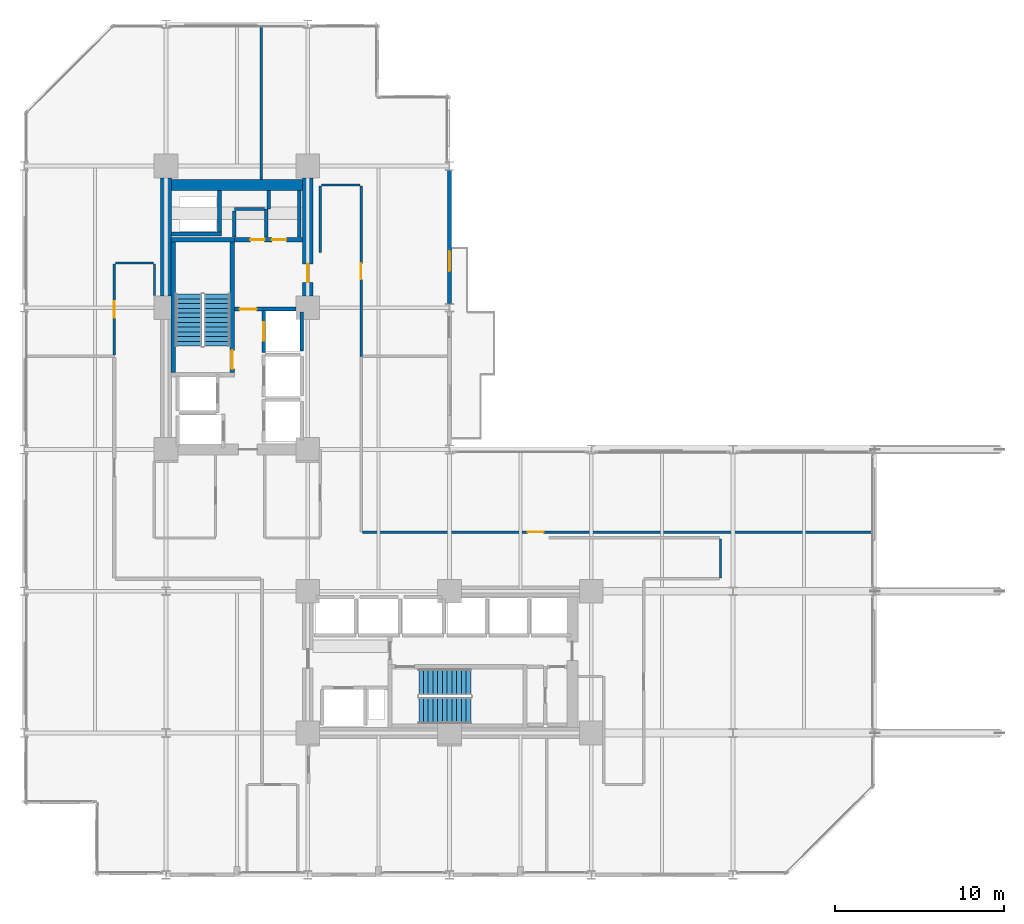
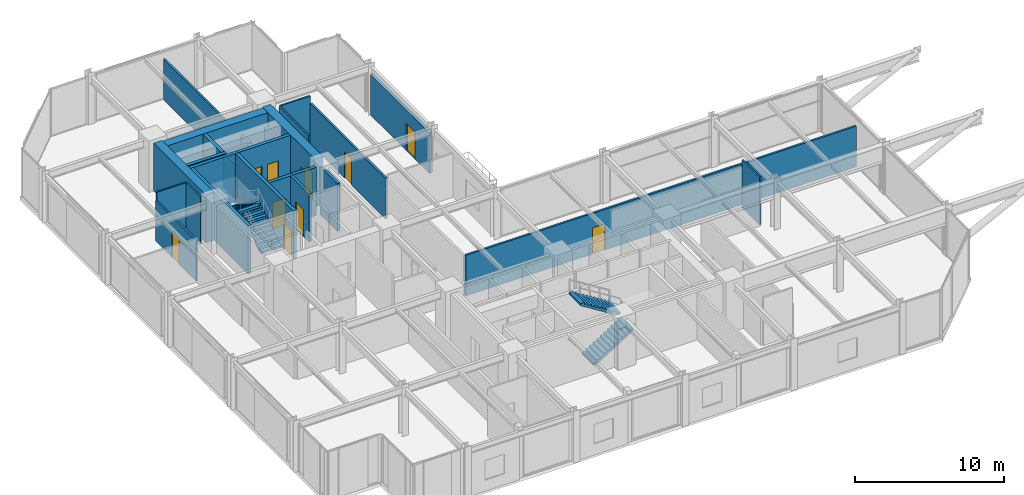
# One storey, part 22 of 25: 27 walls, 10 doors, 4 stair flights, 10 openings, 2 elements without a shape of their own.
"""IFC4 building model written with IfcOpenShell, lengths in metres."""

from ifc_helpers import new_model, si_unit, direction, frame, frame_2d, origin, place, context, subcontext, project, spatial, polyline, rectangle, outline, extrude, material, layer, layer_set, type_object, element, fill, aggregate, save


model = new_model("IFC4")

# Units and contexts
model_context = context("Model", 3, precision=1e-05, world=origin(), true_north=direction((0.0, 1.0)))
body_context = subcontext(model_context, "Body", "Model", "MODEL_VIEW")
ifc_project = project(units=[si_unit("LENGTHUNIT", "METRE"), si_unit("AREAUNIT", "SQUARE_METRE"), si_unit("VOLUMEUNIT", "CUBIC_METRE"), si_unit("PLANEANGLEUNIT", "RADIAN"), si_unit("MASSUNIT", "GRAM", prefix="KILO")], contexts=[model_context])

# Site, building, storey
site_placement = place(None, origin())
site = spatial("IfcSite", under=ifc_project, at=site_placement, CompositionType="ELEMENT")
building_placement = place(site_placement, origin())
building = spatial("IfcBuilding", under=site, at=building_placement, Name="Nerrivon Quay Data Exchange", CompositionType="ELEMENT")
storey_placement = place(building_placement, frame((0.0, 0.0, 58.39990234375)))
storey = spatial("IfcBuildingStorey", under=building, at=storey_placement, Name="L13", CompositionType="ELEMENT", Elevation=58.39990234375)

# Wall, opening, door
ifc_material_1 = material(Name="Architectural terracotta precast concrete N50 (50 MPa)", Category="masonry")
ifc_layer_1 = layer(ifc_material_1, 0.239990234375)
ifc_layer_set_1 = layer_set([ifc_layer_1], Name="Architectural terracotta precast concrete N50 (50 MPa)")
wall_type_1 = type_object("IfcWallType", Name="EW-PREC-240", PredefinedType="STANDARD", material=ifc_layer_set_1)
wall_1_placement = place(storey_placement, frame((25.199951171875, 41.75, 0.0), z_axis=(0.0, 0.0, 1.0), x_axis=(0.0, -1.0, 0.0)))
wall_1 = element("IfcWall", 1, at=wall_1_placement, inside=storey, type_object=wall_type_1, Name="L13 Terrace Host Wall 26", PredefinedType="STANDARD", context=body_context, shape_type="SweptSolid", body=[
    extrude(rectangle(XDim=7.89990234375, YDim=0.239990234375, at=frame_2d((3.949951171875, 0.0))), origin(), (0.0, 0.0, 1.0), 3.322998046875),
])
opening_1_placement = place(wall_1_placement, frame((4.800048828125, 0.0, 0.0)))
opening_1 = element("IfcOpeningElement", 2, at=opening_1_placement, cuts=wall_1, Name="Opening TD1", PredefinedType="OPENING", context=body_context, shape_type="SweptSolid", body=[
    extrude(rectangle(XDim=1.199951171875, YDim=2.199951171875, at=frame_2d((0.60009765625, 1.10009765625))), frame((0.0, 0.1298828125, 0.0), z_axis=(0.0, -1.0, 0.0), x_axis=(1.0, 0.0, 0.0)), (0.0, 0.0, 1.0), 0.260009765625),
])
ifc_material_2 = material(Name="Double-glazed low-E solar control glass", Category="glass")
door_type_1 = type_object("IfcDoorType", Name="DR-TERR-1200x2200", OperationType="NOTDEFINED", PredefinedType="DOOR", material=ifc_material_2)
door_1_placement = place(opening_1_placement, origin())
door_1 = element("IfcDoor", 3, at=door_1_placement, inside=storey, type_object=door_type_1, Name="L13 Outdoor Terrace Access Door 26", OperationType="SINGLE_SWING_LEFT", OverallHeight=2.199951171875, OverallWidth=1.199951171875, PredefinedType="DOOR", context=body_context, shape_type="SweptSolid", body=[
    extrude(rectangle(XDim=1.199951171875, YDim=2.199951171875, at=frame_2d((0.60009765625, 1.10009765625))), frame((0.0, 0.02490234375, 0.0), z_axis=(0.0, -1.0, 0.0), x_axis=(1.0, 0.0, 0.0)), (0.0, 0.0, 1.0), 0.050048828125),
])
fill(opening_1, door_1)

# Walls
ifc_material_3 = material(Name="Concrete N80 (80 MPa)", Category="concrete")
ifc_layer_2 = layer(ifc_material_3, 0.64990234375)
ifc_layer_set_2 = layer_set([ifc_layer_2], Name="Concrete N80 (80 MPa)")
wall_type_2 = type_object("IfcWallType", Name="WALL-CW-850", PredefinedType="SHEAR", material=ifc_layer_set_2)
wall_2_placement = place(storey_placement, frame((8.39990234375, 34.300048828125, 0.0), z_axis=(0.0, 0.0, 1.0), x_axis=(0.0, 1.0, 0.0)))
element("IfcWall", 4, at=wall_2_placement, inside=storey, type_object=wall_type_2, Name="L13 West Split-Core Shear Wall WCW-W2", PredefinedType="SHEAR", context=body_context, shape_type="SweptSolid", body=[
    extrude(rectangle(XDim=7.0, YDim=0.64990234375, at=frame_2d((3.5, 0.0))), origin(), (0.0, 0.0, 1.0), 3.925048828125),
])
wall_3_placement = place(storey_placement, frame((8.72509765625, 40.875, 0.0), z_axis=(0.0, 0.0, 1.0), x_axis=(1.0, 0.0, 0.0)))
element("IfcWall", 5, at=wall_3_placement, inside=storey, type_object=wall_type_2, Name="L13 West Split-Core Shear Wall WCW-N1", PredefinedType="SHEAR", context=body_context, shape_type="SweptSolid", body=[
    extrude(rectangle(XDim=7.75, YDim=0.64990234375, at=frame_2d((3.875, 0.0))), origin(), (0.0, 0.0, 1.0), 3.925048828125),
])

# Wall, opening, door
wall_4_placement = place(storey_placement, frame((16.800048828125, 34.300048828125, 0.0), z_axis=(0.0, 0.0, 1.0), x_axis=(0.0, 1.0, 0.0)))
wall_4 = element("IfcWall", 6, at=wall_4_placement, inside=storey, type_object=wall_type_2, Name="L13 West Split-Core Shear Wall WCW-E1", PredefinedType="SHEAR", context=body_context, shape_type="SweptSolid", body=[
    extrude(rectangle(XDim=7.0, YDim=0.64990234375, at=frame_2d((3.5, 0.0))), origin(), (0.0, 0.0, 1.0), 3.925048828125),
])
opening_2_placement = place(wall_4_placement, frame((0.800048828125, 0.0, 0.0)))
opening_2 = element("IfcOpeningElement", 7, at=opening_2_placement, cuts=wall_4, Name="Opening FD-120", PredefinedType="OPENING", context=body_context, shape_type="SweptSolid", body=[
    extrude(rectangle(XDim=1.10009765625, YDim=2.14990234375, at=frame_2d((0.550048828125, 1.074951171875))), frame((0.0, 0.3349609375, 0.0), z_axis=(0.0, -1.0, 0.0), x_axis=(1.0, 0.0, 0.0)), (0.0, 0.0, 1.0), 0.669921875),
])
ifc_material_4 = material(Name="Powder-coated galvanized steel sheet", Category="steel")
door_type_2 = type_object("IfcDoorType", Name="DR-FD120-1100", OperationType="NOTDEFINED", PredefinedType="DOOR", material=ifc_material_4)
door_2_placement = place(opening_2_placement, origin())
door_2 = element("IfcDoor", 8, at=door_2_placement, inside=storey, type_object=door_type_2, Name="L13 West Core Lobby Fire Door", OperationType="SINGLE_SWING_LEFT", OverallHeight=2.14990234375, OverallWidth=1.10009765625, PredefinedType="DOOR", context=body_context, shape_type="SweptSolid", body=[
    extrude(rectangle(XDim=1.10009765625, YDim=2.14990234375, at=frame_2d((0.550048828125, 1.074951171875))), frame((0.0, 0.02490234375, 0.0), z_axis=(0.0, -1.0, 0.0), x_axis=(1.0, 0.0, 0.0)), (0.0, 0.0, 1.0), 0.050048828125),
])
fill(opening_2, door_2)

ifc_material_5 = material(Name="Gypsum plasterboard on cold-formed framing", Category="gypsum")
ifc_layer_3 = layer(ifc_material_5, 0.199951171875)
ifc_layer_set_3 = layer_set([ifc_layer_3], Name="Gypsum plasterboard on cold-formed framing")
wall_type_3 = type_object("IfcWallType", Name="WALL-FW-200", PredefinedType="PARTITIONING", material=ifc_layer_set_3)
wall_5_placement = place(storey_placement, frame((14.199951171875, 30.949951171875, 0.0), z_axis=(0.0, 0.0, 1.0), x_axis=(0.0, 1.0, 0.0)))
wall_5 = element("IfcWall", 9, at=wall_5_placement, inside=storey, type_object=wall_type_3, Name="L13 Lift Front Wall PL3", PredefinedType="PARTITIONING", context=body_context, shape_type="SweptSolid", body=[
    extrude(rectangle(XDim=2.5, YDim=0.199951171875, at=frame_2d((1.25, 0.0))), origin(), (0.0, 0.0, 1.0), 3.925048828125),
])
opening_3_placement = place(wall_5_placement, frame((0.699951171875, 0.0, 0.0)))
opening_3 = element("IfcOpeningElement", 10, at=opening_3_placement, cuts=wall_5, Name="Opening LD-120", PredefinedType="OPENING", context=body_context, shape_type="SweptSolid", body=[
    extrude(rectangle(XDim=1.10009765625, YDim=2.199951171875, at=frame_2d((0.550048828125, 1.10009765625))), frame((0.0, 0.10986328125, 0.0), z_axis=(0.0, -1.0, 0.0), x_axis=(1.0, 0.0, 0.0)), (0.0, 0.0, 1.0), 0.219970703125),
])
door_type_3 = type_object("IfcDoorType", Name="DR-LIFT-LD120", OperationType="DOUBLE_DOOR_SLIDING", PredefinedType="DOOR", material=ifc_material_4)
door_3_placement = place(opening_3_placement, origin())
door_3 = element("IfcDoor", 11, at=door_3_placement, inside=storey, type_object=door_type_3, Name="L13 Lift Landing Sliding Door PL3", OperationType="DOUBLE_DOOR_SLIDING", OverallHeight=2.199951171875, OverallWidth=1.10009765625, PredefinedType="DOOR", context=body_context, shape_type="SweptSolid", body=[
    extrude(rectangle(XDim=1.10009765625, YDim=2.199951171875, at=frame_2d((0.550048828125, 1.10009765625))), frame((0.0, 0.02490234375, 0.0), z_axis=(0.0, -1.0, 0.0), x_axis=(1.0, 0.0, 0.0)), (0.0, 0.0, 1.0), 0.050048828125),
])
fill(opening_3, door_3)

# Walls
wall_6_placement = place(storey_placement, frame((16.449951171875, 31.050048828125, 0.0), z_axis=(0.0, 0.0, 1.0), x_axis=(0.0, 1.0, 0.0)))
element("IfcWall", 12, at=wall_6_placement, inside=storey, type_object=wall_type_3, Name="L13 Lift Shaft Wall PL3 EAST", PredefinedType="PARTITIONING", context=body_context, shape_type="SweptSolid", body=[
    extrude(rectangle(XDim=2.300048828125, YDim=0.199951171875, at=frame_2d((1.14990234375, 0.0))), origin(), (0.0, 0.0, 1.0), 3.925048828125),
])
wall_7_placement = place(storey_placement, frame((14.35009765625, 37.780029296875, 0.0), z_axis=(0.0, 0.0, 1.0), x_axis=(0.0, 1.0, 0.0)))
element("IfcWall", 13, at=wall_7_placement, inside=storey, type_object=wall_type_3, Name="L13 Partition Equipment Store", PredefinedType="PARTITIONING", context=body_context, shape_type="SweptSolid", body=[
    extrude(rectangle(XDim=1.669921875, YDim=0.199951171875, at=frame_2d((0.8349609375, 0.0))), origin(), (0.0, 0.0, 1.0), 2.8251953125),
])
wall_8_placement = place(storey_placement, frame((14.24609375, 39.449951171875, 0.0), z_axis=(0.0, 0.0, 1.0), x_axis=(-1.0, 0.0, 0.0)))
element("IfcWall", 14, at=wall_8_placement, inside=storey, type_object=wall_type_3, Name="L13 Partition Equipment Store", PredefinedType="PARTITIONING", context=body_context, shape_type="SweptSolid", body=[
    extrude(rectangle(XDim=1.796142578125, YDim=0.199951171875, at=frame_2d((0.89794921875, 0.0))), origin(), (0.0, 0.0, 1.0), 2.8251953125),
])
wall_9_placement = place(storey_placement, frame((12.449951171875, 39.345947265625, 0.0), z_axis=(0.0, 0.0, 1.0), x_axis=(0.0, -1.0, 0.0)))
element("IfcWall", 15, at=wall_9_placement, inside=storey, type_object=wall_type_3, Name="L13 Partition Equipment Store", PredefinedType="PARTITIONING", context=body_context, shape_type="SweptSolid", body=[
    extrude(rectangle(XDim=1.56591796875, YDim=0.199951171875, at=frame_2d((0.782958984375, 0.0))), origin(), (0.0, 0.0, 1.0), 2.8251953125),
])
wall_10_placement = place(storey_placement, frame((16.300048828125, 37.780029296875, 0.0), z_axis=(0.0, 0.0, 1.0), x_axis=(0.0, 1.0, 0.0)))
element("IfcWall", 16, at=wall_10_placement, inside=storey, type_object=wall_type_3, Name="L13 Partition Cleaners Store", PredefinedType="PARTITIONING", context=body_context, shape_type="SweptSolid", body=[
    extrude(rectangle(XDim=2.765869140625, YDim=0.199951171875, at=frame_2d((1.3828125, 0.0))), origin(), (0.0, 0.0, 1.0), 2.8251953125),
])
wall_11_placement = place(storey_placement, frame((14.489990234375, 40.5458984375, 0.0), z_axis=(0.0, 0.0, 1.0), x_axis=(0.0, -1.0, 0.0)))
element("IfcWall", 17, at=wall_11_placement, inside=storey, type_object=wall_type_3, Name="L13 Partition Cleaners Store", PredefinedType="PARTITIONING", context=body_context, shape_type="SweptSolid", body=[
    extrude(rectangle(XDim=1.095947265625, YDim=0.199951171875, at=frame_2d((0.5478515625, 0.0))), origin(), (0.0, 0.0, 1.0), 2.8251953125),
])
ifc_layer_4 = layer(ifc_material_5, 0.1201171875)
ifc_layer_set_4 = layer_set([ifc_layer_4], Name="Gypsum plasterboard on cold-formed framing")
wall_type_4 = type_object("IfcWallType", Name="WALL-PT-120", PredefinedType="PARTITIONING", material=ifc_layer_set_4)
wall_12_placement = place(storey_placement, frame((17.60009765625, 40.860107421875, 0.0), z_axis=(0.0, 0.0, 1.0), x_axis=(1.0, 0.0, 0.0)))
element("IfcWall", 18, at=wall_12_placement, inside=storey, type_object=wall_type_4, Name="L13 Partition Staff Bistro", PredefinedType="PARTITIONING", context=body_context, shape_type="SweptSolid", body=[
    extrude(rectangle(XDim=2.2998046875, YDim=0.1201171875, at=frame_2d((1.14990234375, 0.0))), origin(), (0.0, 0.0, 1.0), 3.925048828125),
])
wall_13_placement = place(storey_placement, frame((5.39990234375, 36.260009765625, 0.0), z_axis=(0.0, 0.0, 1.0), x_axis=(1.0, 0.0, 0.0)))
element("IfcWall", 19, at=wall_13_placement, inside=storey, type_object=wall_type_4, Name="L13 Partition Cloud Compute Workspace 1", PredefinedType="PARTITIONING", context=body_context, shape_type="SweptSolid", body=[
    extrude(rectangle(XDim=2.25, YDim=0.1201171875, at=frame_2d((1.125, 0.0))), origin(), (0.0, 0.0, 1.0), 3.925048828125),
])
wall_14_placement = place(storey_placement, frame((7.7099609375, 36.199951171875, 0.0), z_axis=(0.0, 0.0, 1.0), x_axis=(0.0, -1.0, 0.0)))
element("IfcWall", 20, at=wall_14_placement, inside=storey, type_object=wall_type_4, Name="L13 Partition Cloud Compute Workspace 1", PredefinedType="PARTITIONING", context=body_context, shape_type="SweptSolid", body=[
    extrude(rectangle(XDim=1.8798828125, YDim=0.1201171875, at=frame_2d((0.93994140625, 0.0))), origin(), (0.0, 0.0, 1.0), 3.925048828125),
])
wall_15_placement = place(storey_placement, frame((41.260009765625, 19.89990234375, 0.0), z_axis=(0.0, 0.0, 1.0), x_axis=(-0.000105876124, -0.999999994395, 0.0)))
element("IfcWall", 21, at=wall_15_placement, inside=storey, type_object=wall_type_4, Name="L13 Partition Optical Engineering Studios Workspace", PredefinedType="PARTITIONING", context=body_context, shape_type="SweptSolid", body=[
    extrude(rectangle(XDim=2.305908203125, YDim=0.1201171875, at=frame_2d((1.15283203125, 0.0))), origin(), (0.0, 0.0, 1.0), 3.925048828125),
])
ifc_layer_5 = layer(ifc_material_5, 0.135009765625)
ifc_layer_set_5 = layer_set([ifc_layer_5], Name="Gypsum plasterboard on cold-formed framing")
wall_type_5 = type_object("IfcWallType", Name="WALL-PT-135", PredefinedType="PARTITIONING", material=ifc_layer_set_5)
wall_16_placement = place(storey_placement, frame((17.5400390625, 36.860107421875, 0.0), z_axis=(0.0, 0.0, 1.0), x_axis=(0.0, 1.0, 0.0)))
element("IfcWall", 22, at=wall_16_placement, inside=storey, type_object=wall_type_5, Name="L13 Partition Staff Bistro", PredefinedType="PARTITIONING", context=body_context, shape_type="SweptSolid", body=[
    extrude(rectangle(XDim=3.93994140625, YDim=0.135009765625, at=frame_2d((1.969970703125, 0.0))), origin(), (0.0, 0.0, 1.0), 3.925048828125),
])

# Wall, opening, door
wall_17_placement = place(storey_placement, frame((5.340087890625, 30.79345703125, 0.0), z_axis=(0.0, 0.0, 1.0), x_axis=(0.0, 1.0, 0.0)))
wall_17 = element("IfcWall", 23, at=wall_17_placement, inside=storey, type_object=wall_type_5, Name="L13 Partition Cloud Compute Workspace 1", PredefinedType="PARTITIONING", context=body_context, shape_type="SweptSolid", body=[
    extrude(rectangle(XDim=5.406494140625, YDim=0.135009765625, at=frame_2d((2.703125, 0.0))), origin(), (0.0, 0.0, 1.0), 3.31298828125),
])
opening_4_placement = place(wall_17_placement, frame((2.228271484375, 0.0, 0.0)))
opening_4 = element("IfcOpeningElement", 24, at=opening_4_placement, cuts=wall_17, Name="Opening D-01", PredefinedType="OPENING", context=body_context, shape_type="SweptSolid", body=[
    extrude(rectangle(XDim=0.949951171875, YDim=2.14990234375, at=frame_2d((0.47509765625, 1.074951171875))), frame((0.0, 0.077392578125, 0.0), z_axis=(0.0, -1.0, 0.0), x_axis=(1.0, 0.0, 0.0)), (0.0, 0.0, 1.0), 0.155029296875),
])
ifc_material_6 = material(Name="Engineered hardwood timber", Category="wood")
door_type_4 = type_object("IfcDoorType", Name="DR-INT-950", OperationType="NOTDEFINED", PredefinedType="DOOR", material=ifc_material_6)
door_4_placement = place(opening_4_placement, origin())
door_4 = element("IfcDoor", 25, at=door_4_placement, inside=storey, type_object=door_type_4, Name="L13 Door Cloud Compute Workspace 1", OperationType="SINGLE_SWING_LEFT", OverallHeight=2.14990234375, OverallWidth=0.949951171875, PredefinedType="DOOR", context=body_context, shape_type="SweptSolid", body=[
    extrude(rectangle(XDim=0.949951171875, YDim=2.14990234375, at=frame_2d((0.47509765625, 1.074951171875))), frame((0.0, 0.02490234375, 0.0), z_axis=(0.0, -1.0, 0.0), x_axis=(1.0, 0.0, 0.0)), (0.0, 0.0, 1.0), 0.050048828125),
])
fill(opening_4, door_4)

ifc_layer_6 = layer(ifc_material_5, 0.14990234375)
ifc_layer_set_6 = layer_set([ifc_layer_6], Name="Gypsum plasterboard on cold-formed framing")
wall_type_6 = type_object("IfcWallType", Name="WALL-PT-150", PredefinedType="PARTITIONING", material=ifc_layer_set_6)
wall_18_placement = place(storey_placement, frame((19.9599609375, 40.800048828125, 0.0), z_axis=(0.0, 0.0, 1.0), x_axis=(0.0, -1.0, 0.0)))
wall_18 = element("IfcWall", 26, at=wall_18_placement, inside=storey, type_object=wall_type_6, Name="L13 Partition Staff Bistro", PredefinedType="PARTITIONING", context=body_context, shape_type="SweptSolid", body=[
    extrude(rectangle(XDim=10.078125, YDim=0.14990234375, at=frame_2d((5.0390625, 0.0))), origin(), (0.0, 0.0, 1.0), 3.31298828125),
])
opening_5_placement = place(wall_18_placement, frame((4.56396484375, 0.0, 0.0)))
opening_5 = element("IfcOpeningElement", 27, at=opening_5_placement, cuts=wall_18, Name="Opening D-01", PredefinedType="OPENING", context=body_context, shape_type="SweptSolid", body=[
    extrude(rectangle(XDim=0.949951171875, YDim=2.14990234375, at=frame_2d((0.47509765625, 1.074951171875))), frame((0.0, 0.0849609375, 0.0), z_axis=(0.0, -1.0, 0.0), x_axis=(1.0, 0.0, 0.0)), (0.0, 0.0, 1.0), 0.169921875),
])
door_5_placement = place(opening_5_placement, origin())
door_5 = element("IfcDoor", 28, at=door_5_placement, inside=storey, type_object=door_type_4, Name="L13 Door Staff Bistro", OperationType="SINGLE_SWING_LEFT", OverallHeight=2.14990234375, OverallWidth=0.949951171875, PredefinedType="DOOR", context=body_context, shape_type="SweptSolid", body=[
    extrude(rectangle(XDim=0.949951171875, YDim=2.14990234375, at=frame_2d((0.47509765625, 1.074951171875))), frame((0.0, 0.02490234375, 0.0), z_axis=(0.0, -1.0, 0.0), x_axis=(1.0, 0.0, 0.0)), (0.0, 0.0, 1.0), 0.050048828125),
])
fill(opening_5, door_5)

# Wall
wall_19_placement = place(storey_placement, frame((14.0546875, 50.23095703125, 0.0), z_axis=(0.0, 0.0, 1.0), x_axis=(0.0, -1.0, 0.0)))
element("IfcWall", 29, at=wall_19_placement, inside=storey, type_object=wall_type_6, Name="L13 Partition Staff Bistro", PredefinedType="PARTITIONING", context=body_context, shape_type="SweptSolid", body=[
    extrude(rectangle(XDim=9.02685546875, YDim=0.14990234375, at=frame_2d((4.513427734375, 0.0))), origin(), (0.0, 0.0, 1.0), 3.31298828125),
])

# Wall, opening, door
wall_20_placement = place(storey_placement, frame((20.0390625, 20.309814453125, 0.0), z_axis=(0.0, 0.0, 1.0), x_axis=(1.0, 0.0, 0.0)))
wall_20 = element("IfcWall", 30, at=wall_20_placement, inside=storey, type_object=wall_type_6, Name="L13 Partition Technical Library", PredefinedType="PARTITIONING", context=body_context, shape_type="SweptSolid", body=[
    extrude(rectangle(XDim=30.19189453125, YDim=0.14990234375, at=frame_2d((15.095947265625, 0.0))), origin(), (0.0, 0.0, 1.0), 3.322998046875),
])
opening_6_placement = place(wall_20_placement, frame((9.790283203125, 0.0, 0.0)))
opening_6 = element("IfcOpeningElement", 31, at=opening_6_placement, cuts=wall_20, Name="Opening D-01", PredefinedType="OPENING", context=body_context, shape_type="SweptSolid", body=[
    extrude(rectangle(XDim=0.949951171875, YDim=2.14990234375, at=frame_2d((0.47509765625, 1.074951171875))), frame((0.0, 0.0849609375, 0.0), z_axis=(0.0, -1.0, 0.0), x_axis=(1.0, 0.0, 0.0)), (0.0, 0.0, 1.0), 0.169921875),
])
door_6_placement = place(opening_6_placement, origin())
door_6 = element("IfcDoor", 32, at=door_6_placement, inside=storey, type_object=door_type_4, Name="L13 Door Technical Library", OperationType="SINGLE_SWING_RIGHT", OverallHeight=2.14990234375, OverallWidth=0.949951171875, PredefinedType="DOOR", context=body_context, shape_type="SweptSolid", body=[
    extrude(rectangle(XDim=0.949951171875, YDim=2.14990234375, at=frame_2d((0.47509765625, 1.074951171875))), frame((0.0, 0.02490234375, 0.0), z_axis=(0.0, -1.0, 0.0), x_axis=(1.0, 0.0, 0.0)), (0.0, 0.0, 1.0), 0.050048828125),
])
fill(opening_6, door_6)

# Wall
ifc_material_7 = material(Name="Concrete N50 (50 MPa)", Category="concrete")
ifc_layer_7 = layer(ifc_material_7, 0.25)
ifc_layer_set_7 = layer_set([ifc_layer_7], Name="Concrete N50 (50 MPa)")
wall_type_7 = type_object("IfcWallType", Name="WALL-SW-250", PredefinedType="SHEAR", material=ifc_layer_set_7)
wall_21_placement = place(storey_placement, frame((12.449951171875, 37.625, 0.0), z_axis=(0.0, 0.0, 1.0), x_axis=(-1.0, 0.0, 0.0)))
element("IfcWall", 33, at=wall_21_placement, inside=storey, type_object=wall_type_7, Name="L13 ST01 Structural Stair Core Wall FAR", PredefinedType="SHEAR", context=body_context, shape_type="SweptSolid", body=[
    extrude(rectangle(XDim=3.75, YDim=0.25, at=frame_2d((1.875, 0.0))), origin(), (0.0, 0.0, 1.0), 3.925048828125),
])

# Wall, opening, door
wall_22_placement = place(storey_placement, frame((12.324951171875, 29.75, 0.0), z_axis=(0.0, 0.0, 1.0), x_axis=(0.0, 1.0, 0.0)))
wall_22 = element("IfcWall", 34, at=wall_22_placement, inside=storey, type_object=wall_type_7, Name="L13 ST01 Structural Stair Core Wall LEFT", PredefinedType="SHEAR", context=body_context, shape_type="SweptSolid", body=[
    extrude(rectangle(XDim=7.75, YDim=0.25, at=frame_2d((3.875, 0.0))), origin(), (0.0, 0.0, 1.0), 3.925048828125),
])
opening_7_placement = place(wall_22_placement, frame((0.219970703125, 0.0, 0.0)))
opening_7 = element("IfcOpeningElement", 35, at=opening_7_placement, cuts=wall_22, Name="Opening FD-120", PredefinedType="OPENING", context=body_context, shape_type="SweptSolid", body=[
    extrude(rectangle(XDim=1.10009765625, YDim=2.14990234375, at=frame_2d((0.550048828125, 1.074951171875))), frame((0.0, 0.135009765625, 0.0), z_axis=(0.0, -1.0, 0.0), x_axis=(1.0, 0.0, 0.0)), (0.0, 0.0, 1.0), 0.27001953125),
])
door_7_placement = place(opening_7_placement, origin())
door_7 = element("IfcDoor", 36, at=door_7_placement, inside=storey, type_object=door_type_2, Name="L13 Protected Stair Door ST01", OperationType="SINGLE_SWING_LEFT", OverallHeight=2.14990234375, OverallWidth=1.10009765625, PredefinedType="DOOR", context=body_context, shape_type="SweptSolid", body=[
    extrude(rectangle(XDim=1.10009765625, YDim=2.14990234375, at=frame_2d((0.550048828125, 1.074951171875))), frame((0.0, 0.02490234375, 0.0), z_axis=(0.0, -1.0, 0.0), x_axis=(1.0, 0.0, 0.0)), (0.0, 0.0, 1.0), 0.050048828125),
])
fill(opening_7, door_7)

# Walls
wall_23_placement = place(storey_placement, frame((8.824951171875, 29.75, 0.0), z_axis=(0.0, 0.0, 1.0), x_axis=(0.0, 1.0, 0.0)))
element("IfcWall", 37, at=wall_23_placement, inside=storey, type_object=wall_type_7, Name="L13 ST01 Structural Stair Core Wall RIGHT", PredefinedType="SHEAR", context=body_context, shape_type="SweptSolid", body=[
    extrude(rectangle(XDim=7.75, YDim=0.25, at=frame_2d((3.875, 0.0))), origin(), (0.0, 0.0, 1.0), 3.925048828125),
])
wall_24_placement = place(storey_placement, frame((8.72509765625, 37.97509765625, 0.0), z_axis=(0.0, 0.0, 1.0), x_axis=(1.0, 0.0, 0.0)))
element("IfcWall", 38, at=wall_24_placement, inside=storey, type_object=wall_type_7, Name="L13 West Core MEP Riser Shaft Wall S", PredefinedType="SHEAR", context=body_context, shape_type="SweptSolid", body=[
    extrude(rectangle(XDim=2.974853515625, YDim=0.25, at=frame_2d((1.4873046875, 0.0))), origin(), (0.0, 0.0, 1.0), 3.925048828125),
])
wall_25_placement = place(storey_placement, frame((11.574951171875, 38.10009765625, 0.0), z_axis=(0.0, 0.0, 1.0), x_axis=(0.0, 1.0, 0.0)))
element("IfcWall", 39, at=wall_25_placement, inside=storey, type_object=wall_type_7, Name="L13 West Core MEP Riser Shaft Wall E", PredefinedType="SHEAR", context=body_context, shape_type="SweptSolid", body=[
    extrude(rectangle(XDim=2.449951171875, YDim=0.25, at=frame_2d((1.22509765625, 0.0))), origin(), (0.0, 0.0, 1.0), 3.925048828125),
])

# Wall, opening, door
wall_26_placement = place(storey_placement, frame((12.449951171875, 33.52001953125, 0.0), z_axis=(0.0, 0.0, 1.0), x_axis=(1.0, 0.0, 0.0)))
wall_26 = element("IfcWall", 40, at=wall_26_placement, inside=storey, type_object=wall_type_7, Name="L13 West Lobby Smoke-Stop Wall", PredefinedType="SHEAR", context=body_context, shape_type="SweptSolid", body=[
    extrude(rectangle(XDim=3.650146484375, YDim=0.25, at=frame_2d((1.8251953125, 0.0))), origin(), (0.0, 0.0, 1.0), 3.925048828125),
])
opening_8_placement = place(wall_26_placement, frame((0.320068359375, 0.0, 0.0)))
opening_8 = element("IfcOpeningElement", 41, at=opening_8_placement, cuts=wall_26, Name="Opening FD-60", PredefinedType="OPENING", context=body_context, shape_type="SweptSolid", body=[
    extrude(rectangle(XDim=1.0, YDim=2.14990234375, at=frame_2d((0.5, 1.074951171875))), frame((0.0, 0.135009765625, 0.0), z_axis=(0.0, -1.0, 0.0), x_axis=(1.0, 0.0, 0.0)), (0.0, 0.0, 1.0), 0.27001953125),
])
door_type_5 = type_object("IfcDoorType", Name="DR-FD60-1000", OperationType="NOTDEFINED", PredefinedType="DOOR", material=ifc_material_6)
door_8_placement = place(opening_8_placement, origin())
door_8 = element("IfcDoor", 42, at=door_8_placement, inside=storey, type_object=door_type_5, Name="L13 West Firefighting Lobby Fire Door", OperationType="SINGLE_SWING_LEFT", OverallHeight=2.14990234375, OverallWidth=1.0, PredefinedType="DOOR", context=body_context, shape_type="SweptSolid", body=[
    extrude(rectangle(XDim=1.0, YDim=2.14990234375, at=frame_2d((0.5, 1.074951171875))), frame((0.0, 0.02490234375, 0.0), z_axis=(0.0, -1.0, 0.0), x_axis=(1.0, 0.0, 0.0)), (0.0, 0.0, 1.0), 0.050048828125),
])
fill(opening_8, door_8)

# Wall, openings, doors
wall_27_placement = place(storey_placement, frame((12.449951171875, 37.625, 0.0), z_axis=(0.0, 0.0, 1.0), x_axis=(1.0, 0.0, 0.0)))
wall_27 = element("IfcWall", 43, at=wall_27_placement, inside=storey, type_object=wall_type_7, Name="L13 West Firefighting Lobby Wall", PredefinedType="SHEAR", context=body_context, shape_type="SweptSolid", body=[
    extrude(rectangle(XDim=4.025146484375, YDim=0.25, at=frame_2d((2.0126953125, 0.0))), origin(), (0.0, 0.0, 1.0), 3.925048828125),
])
opening_9_placement = place(wall_27_placement, frame((0.943603515625, 0.0, 0.0)))
opening_9 = element("IfcOpeningElement", 44, at=opening_9_placement, cuts=wall_27, Name="Opening FD-60S", PredefinedType="OPENING", context=body_context, shape_type="SweptSolid", body=[
    extrude(rectangle(XDim=0.85009765625, YDim=2.14990234375, at=frame_2d((0.425048828125, 1.074951171875))), frame((0.0, 0.135009765625, 0.0), z_axis=(0.0, -1.0, 0.0), x_axis=(1.0, 0.0, 0.0)), (0.0, 0.0, 1.0), 0.27001953125),
])
opening_10_placement = place(wall_27_placement, frame((2.2314453125, 0.0, 0.0)))
opening_10 = element("IfcOpeningElement", 45, at=opening_10_placement, cuts=wall_27, Name="Opening FD-60S", PredefinedType="OPENING", context=body_context, shape_type="SweptSolid", body=[
    extrude(rectangle(XDim=0.85009765625, YDim=2.14990234375, at=frame_2d((0.425048828125, 1.074951171875))), frame((0.0, 0.135009765625, 0.0), z_axis=(0.0, -1.0, 0.0), x_axis=(1.0, 0.0, 0.0)), (0.0, 0.0, 1.0), 0.27001953125),
])
door_type_6 = type_object("IfcDoorType", Name="DR-FD60-850", OperationType="NOTDEFINED", PredefinedType="DOOR", material=ifc_material_6)
door_9_placement = place(opening_9_placement, origin())
door_9 = element("IfcDoor", 46, at=door_9_placement, inside=storey, type_object=door_type_6, Name="L13 Door Equipment Store", OperationType="SINGLE_SWING_LEFT", OverallHeight=2.14990234375, OverallWidth=0.85009765625, PredefinedType="DOOR", context=body_context, shape_type="SweptSolid", body=[
    extrude(rectangle(XDim=0.85009765625, YDim=2.14990234375, at=frame_2d((0.425048828125, 1.074951171875))), frame((0.0, 0.02490234375, 0.0), z_axis=(0.0, -1.0, 0.0), x_axis=(1.0, 0.0, 0.0)), (0.0, 0.0, 1.0), 0.050048828125),
])
fill(opening_9, door_9)
door_10_placement = place(opening_10_placement, origin())
door_10 = element("IfcDoor", 47, at=door_10_placement, inside=storey, type_object=door_type_6, Name="L13 Door Cleaners Store", OperationType="SINGLE_SWING_RIGHT", OverallHeight=2.14990234375, OverallWidth=0.85009765625, PredefinedType="DOOR", context=body_context, shape_type="SweptSolid", body=[
    extrude(rectangle(XDim=0.85009765625, YDim=2.14990234375, at=frame_2d((0.425048828125, 1.074951171875))), frame((0.0, 0.02490234375, 0.0), z_axis=(0.0, -1.0, 0.0), x_axis=(1.0, 0.0, 0.0)), (0.0, 0.0, 1.0), 0.050048828125),
])
fill(opening_10, door_10)

# Stair, stair flights
stair_type = type_object("IfcStairType", Name="STAIR-DOG-42", PredefinedType="HALF_TURN_STAIR", material=ifc_material_7)
stair_1_placement = place(storey_placement, origin())
stair_1 = element("IfcStair", 48, at=stair_1_placement, inside=storey, type_object=stair_type, Name="L13 West Core Fire Stair ST01", PredefinedType="HALF_TURN_STAIR")
stair_flight_type = type_object("IfcStairFlightType", Name="FLIGHT-DOG-42", PredefinedType="STRAIGHT", material=ifc_material_7)
stair_flight_1_placement = place(storey_placement, frame((11.425048828125, 31.330078125, 0.0), z_axis=(0.0, 0.0, 1.0), x_axis=(0.0, 1.0, 0.0)))
stair_flight_1 = element("IfcStairFlight", 49, at=stair_flight_1_placement, type_object=stair_flight_type, Name="ST01 flight 1", NumberOfRisers=12, NumberOfTreads=11, PredefinedType="STRAIGHT", RiserHeight=0.175, TreadLength=0.28, context=body_context, shape_type="SweptSolid", body=[
    extrude(outline(polyline([(0.0, 0.0), (0.0, 0.175048828125), (0.280029296875, 0.175048828125), (0.280029296875, 0.35009765625), (0.56005859375, 0.35009765625), (0.56005859375, 0.52490234375), (0.840087890625, 0.52490234375), (0.840087890625, 0.699951171875), (1.1201171875, 0.699951171875), (1.1201171875, 0.875), (1.39990234375, 0.875), (1.39990234375, 1.050048828125), (1.679931640625, 1.050048828125), (1.679931640625, 1.22509765625), (1.9599609375, 1.22509765625), (1.9599609375, 1.39990234375), (2.239990234375, 1.39990234375), (2.239990234375, 1.574951171875), (2.52001953125, 1.574951171875), (2.52001953125, 1.75), (2.800048828125, 1.75), (2.800048828125, 1.925048828125), (3.080078125, 1.925048828125), (3.080078125, 2.10009765625), (3.080078125, 1.748291015625), (0.28271484375, 0.0), (0.0, 0.0)])), frame((0.0, 0.77490234375, 0.0), z_axis=(0.0, -1.0, 0.0), x_axis=(1.0, 0.0, 0.0)), (0.0, 0.0, 1.0), 1.550048828125),
])
stair_flight_2_placement = place(storey_placement, frame((9.72509765625, 34.409912109375, 2.10009765625), z_axis=(0.0, 0.0, 1.0), x_axis=(0.0, -1.0, 0.0)))
stair_flight_2 = element("IfcStairFlight", 50, at=stair_flight_2_placement, type_object=stair_flight_type, Name="ST01 flight 2", NumberOfRisers=12, NumberOfTreads=11, PredefinedType="STRAIGHT", RiserHeight=0.175, TreadLength=0.28, context=body_context, shape_type="SweptSolid", body=[
    extrude(outline(polyline([(0.0, 0.0), (0.0, 0.175048828125), (0.280029296875, 0.175048828125), (0.280029296875, 0.35009765625), (0.56005859375, 0.35009765625), (0.56005859375, 0.52490234375), (0.840087890625, 0.52490234375), (0.840087890625, 0.699951171875), (1.1201171875, 0.699951171875), (1.1201171875, 0.875), (1.39990234375, 0.875), (1.39990234375, 1.050048828125), (1.679931640625, 1.050048828125), (1.679931640625, 1.22509765625), (1.9599609375, 1.22509765625), (1.9599609375, 1.39990234375), (2.239990234375, 1.39990234375), (2.239990234375, 1.574951171875), (2.52001953125, 1.574951171875), (2.52001953125, 1.75), (2.800048828125, 1.75), (2.800048828125, 1.925048828125), (3.080078125, 1.925048828125), (3.080078125, 2.10009765625), (3.080078125, 1.748291015625), (0.28271484375, 0.0), (0.0, 0.0)])), frame((0.0, 0.77490234375, 0.0), z_axis=(0.0, -1.0, 0.0), x_axis=(1.0, 0.0, 0.0)), (0.0, 0.0, 1.0), 1.550048828125),
])
aggregate(stair_1, [stair_flight_1, stair_flight_2])

stair_2_placement = place(storey_placement, origin())
stair_2 = element("IfcStair", 51, at=stair_2_placement, inside=storey, type_object=stair_type, Name="L13 East Core Fire Stair ST02", PredefinedType="HALF_TURN_STAIR")
stair_flight_3_placement = place(storey_placement, frame((23.3798828125, 9.72509765625, 0.0), z_axis=(0.0, 0.0, 1.0), x_axis=(1.0, 0.0, 0.0)))
stair_flight_3 = element("IfcStairFlight", 52, at=stair_flight_3_placement, type_object=stair_flight_type, Name="ST02 flight 1", NumberOfRisers=12, NumberOfTreads=11, PredefinedType="STRAIGHT", RiserHeight=0.175, TreadLength=0.28, context=body_context, shape_type="SweptSolid", body=[
    extrude(outline(polyline([(0.0, 0.0), (0.0, 0.175048828125), (0.280029296875, 0.175048828125), (0.280029296875, 0.35009765625), (0.56005859375, 0.35009765625), (0.56005859375, 0.52490234375), (0.840087890625, 0.52490234375), (0.840087890625, 0.699951171875), (1.1201171875, 0.699951171875), (1.1201171875, 0.875), (1.39990234375, 0.875), (1.39990234375, 1.050048828125), (1.679931640625, 1.050048828125), (1.679931640625, 1.22509765625), (1.9599609375, 1.22509765625), (1.9599609375, 1.39990234375), (2.239990234375, 1.39990234375), (2.239990234375, 1.574951171875), (2.52001953125, 1.574951171875), (2.52001953125, 1.75), (2.800048828125, 1.75), (2.800048828125, 1.925048828125), (3.080078125, 1.925048828125), (3.080078125, 2.10009765625), (3.080078125, 1.748291015625), (0.28271484375, 0.0), (0.0, 0.0)])), frame((0.0, 0.77490234375, 0.0), z_axis=(0.0, -1.0, 0.0), x_axis=(1.0, 0.0, 0.0)), (0.0, 0.0, 1.0), 1.550048828125),
])
stair_flight_4_placement = place(storey_placement, frame((26.4599609375, 11.425048828125, 2.10009765625), z_axis=(0.0, 0.0, 1.0), x_axis=(-1.0, 0.0, 0.0)))
stair_flight_4 = element("IfcStairFlight", 53, at=stair_flight_4_placement, type_object=stair_flight_type, Name="ST02 flight 2", NumberOfRisers=12, NumberOfTreads=11, PredefinedType="STRAIGHT", RiserHeight=0.175, TreadLength=0.28, context=body_context, shape_type="SweptSolid", body=[
    extrude(outline(polyline([(0.0, 0.0), (0.0, 0.175048828125), (0.280029296875, 0.175048828125), (0.280029296875, 0.35009765625), (0.56005859375, 0.35009765625), (0.56005859375, 0.52490234375), (0.840087890625, 0.52490234375), (0.840087890625, 0.699951171875), (1.1201171875, 0.699951171875), (1.1201171875, 0.875), (1.39990234375, 0.875), (1.39990234375, 1.050048828125), (1.679931640625, 1.050048828125), (1.679931640625, 1.22509765625), (1.9599609375, 1.22509765625), (1.9599609375, 1.39990234375), (2.239990234375, 1.39990234375), (2.239990234375, 1.574951171875), (2.52001953125, 1.574951171875), (2.52001953125, 1.75), (2.800048828125, 1.75), (2.800048828125, 1.925048828125), (3.080078125, 1.925048828125), (3.080078125, 2.10009765625), (3.080078125, 1.748291015625), (0.28271484375, 0.0), (0.0, 0.0)])), frame((0.0, 0.77490234375, 0.0), z_axis=(0.0, -1.0, 0.0), x_axis=(1.0, 0.0, 0.0)), (0.0, 0.0, 1.0), 1.550048828125),
])
aggregate(stair_2, [stair_flight_3, stair_flight_4])

save(model, "model.ifc")
